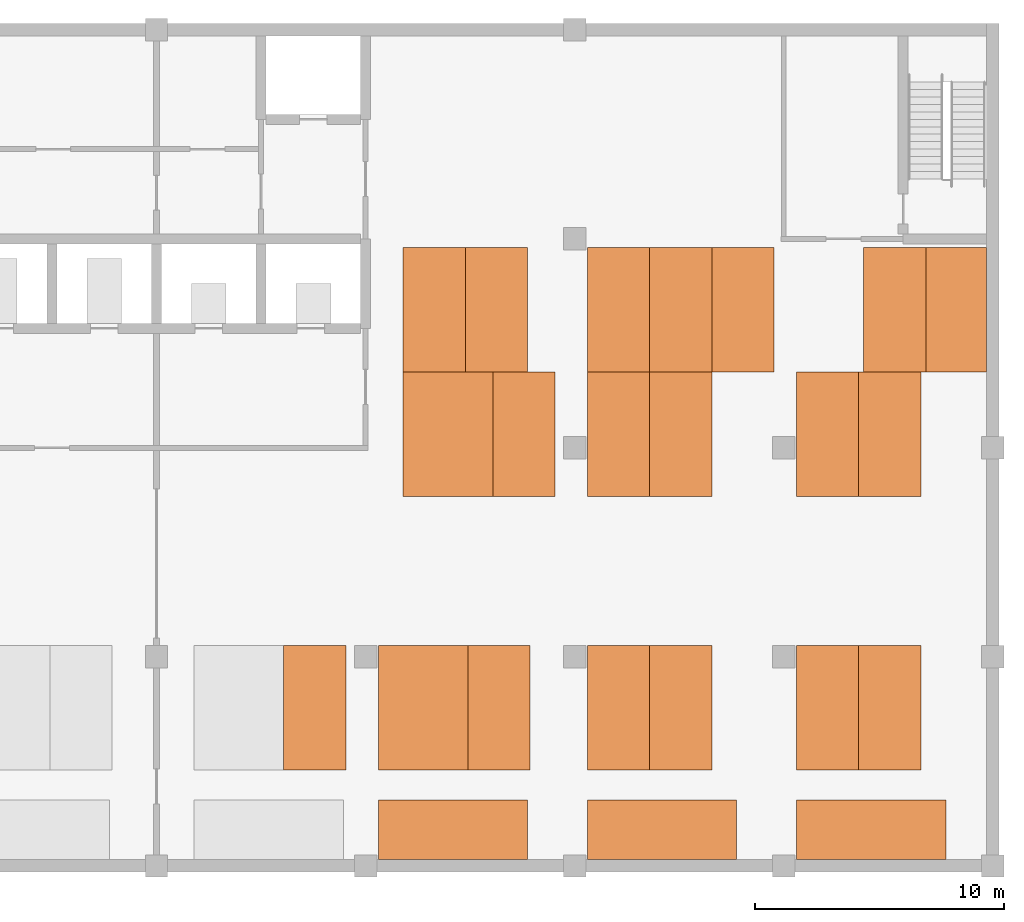
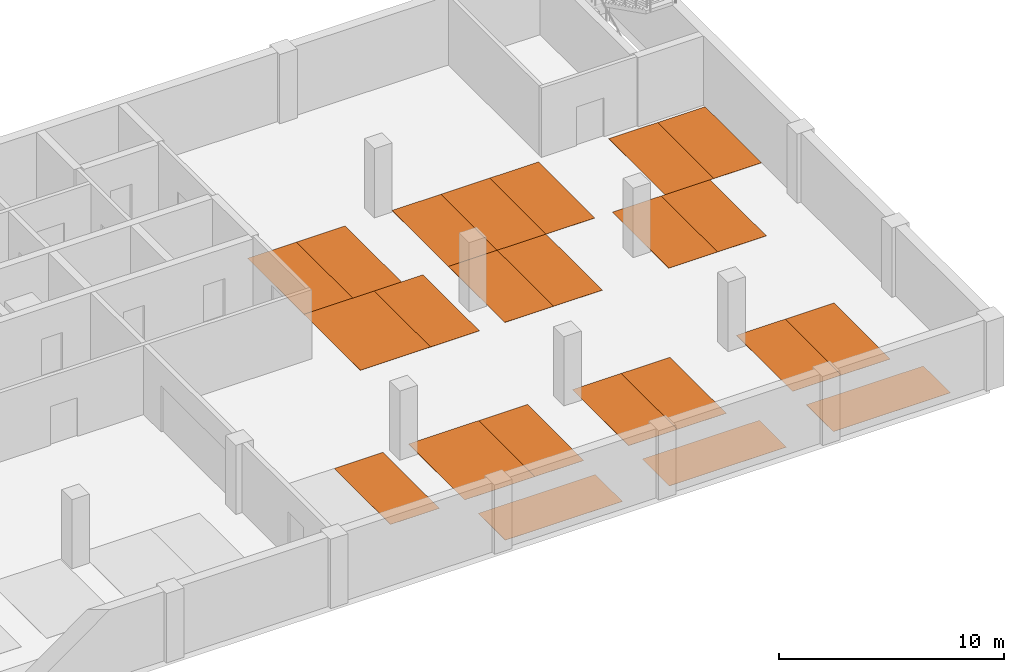
# One storey, part 14 of 14: 23 proxies.
"""IFC4 building model written with IfcOpenShell, lengths in metres."""

from ifc_helpers import new_model, si_unit, direction, frame, origin, place, context, subcontext, project, spatial, polyline, outline, extrude, material, type_object, element, save


model = new_model("IFC4")

# Units and contexts
model_context = context("Model", 3, precision=1e-05, world=origin(), true_north=direction((0.0, 1.0)))
body_context = subcontext(model_context, "Body", "Model", "MODEL_VIEW")
ifc_project = project(units=[si_unit("LENGTHUNIT", "METRE"), si_unit("AREAUNIT", "SQUARE_METRE"), si_unit("VOLUMEUNIT", "CUBIC_METRE"), si_unit("PLANEANGLEUNIT", "RADIAN"), si_unit("MASSUNIT", "GRAM", prefix="KILO")], contexts=[model_context])

# Site, building, storey
site_placement = place(None, origin())
site = spatial("IfcSite", under=ifc_project, at=site_placement, CompositionType="ELEMENT")
building_placement = place(site_placement, origin())
building = spatial("IfcBuilding", under=site, at=building_placement, Name="Yavir Park General Hospital", CompositionType="ELEMENT")
storey_placement = place(building_placement, frame((0.0, 0.0, -4.199951171875)))
storey = spatial("IfcBuildingStorey", under=building, at=storey_placement, Name="B1", CompositionType="ELEMENT", Elevation=-4.199951171875)

# Proxies
ifc_material_1 = material(Name="Floor marking paint, white")
building_element_proxy_type_1 = type_object("IfcBuildingElementProxyType", Name="Accessible parking bay marking", PredefinedType="ELEMENT", material=ifc_material_1)
proxy_1_placement = place(storey_placement, origin())
element("IfcBuildingElementProxy", 1, at=proxy_1_placement, inside=storey, type_object=building_element_proxy_type_1, Name="Accessible parking bay 7 marking, Car Park E", PredefinedType="ELEMENT", context=body_context, shape_type="SweptSolid", body=[
    extrude(outline(polyline([(143.31005859375, 3.85009765625), (146.909912109375, 3.85009765625), (146.909912109375, 8.85009765625), (143.31005859375, 8.85009765625), (143.31005859375, 3.85009765625)])), origin(), (0.0, 0.0, 1.0), 0.010009765625),
])
proxy_2_placement = place(storey_placement, origin())
element("IfcBuildingElementProxy", 2, at=proxy_2_placement, inside=storey, type_object=building_element_proxy_type_1, Name="Accessible parking bay 13 marking, Car Park E", PredefinedType="ELEMENT", context=body_context, shape_type="SweptSolid", body=[
    extrude(outline(polyline([(144.31005859375, 14.85009765625), (147.909912109375, 14.85009765625), (147.909912109375, 19.85009765625), (144.31005859375, 19.85009765625), (144.31005859375, 14.85009765625)])), origin(), (0.0, 0.0, 1.0), 0.010009765625),
])
ifc_material_2 = material(Name="Floor marking paint, white")
building_element_proxy_type_2 = type_object("IfcBuildingElementProxyType", Name="EV charging parking bay marking", PredefinedType="ELEMENT", material=ifc_material_2)
proxy_3_placement = place(storey_placement, origin())
element("IfcBuildingElementProxy", 3, at=proxy_3_placement, inside=storey, type_object=building_element_proxy_type_2, Name="EV charging parking bay 15 marking, Car Park E", PredefinedType="ELEMENT", context=body_context, shape_type="SweptSolid", body=[
    extrude(outline(polyline([(151.7099609375, 14.85009765625), (154.2099609375, 14.85009765625), (154.2099609375, 19.85009765625), (151.7099609375, 19.85009765625), (151.7099609375, 14.85009765625)])), origin(), (0.0, 0.0, 1.0), 0.010009765625),
])
proxy_4_placement = place(storey_placement, origin())
element("IfcBuildingElementProxy", 4, at=proxy_4_placement, inside=storey, type_object=building_element_proxy_type_2, Name="EV charging parking bay 23 marking, Car Park E", PredefinedType="ELEMENT", context=body_context, shape_type="SweptSolid", body=[
    extrude(outline(polyline([(156.7099609375, 19.85009765625), (159.2099609375, 19.85009765625), (159.2099609375, 24.85009765625), (156.7099609375, 24.85009765625), (156.7099609375, 19.85009765625)])), origin(), (0.0, 0.0, 1.0), 0.010009765625),
])
ifc_material_3 = material(Name="Floor marking paint, white")
building_element_proxy_type_3 = type_object("IfcBuildingElementProxyType", Name="Parallel parking bay marking", PredefinedType="ELEMENT", material=ifc_material_3)
proxy_5_placement = place(storey_placement, origin())
element("IfcBuildingElementProxy", 5, at=proxy_5_placement, inside=storey, type_object=building_element_proxy_type_3, Name="Parallel parking bay 2 marking, Car Park E", PredefinedType="ELEMENT", context=body_context, shape_type="SweptSolid", body=[
    extrude(outline(polyline([(143.31005859375, 2.64990234375), (143.31005859375, 0.25), (149.31005859375, 0.25), (149.31005859375, 2.64990234375), (143.31005859375, 2.64990234375)])), origin(), (0.0, 0.0, 1.0), 0.010009765625),
])
proxy_6_placement = place(storey_placement, origin())
element("IfcBuildingElementProxy", 6, at=proxy_6_placement, inside=storey, type_object=building_element_proxy_type_3, Name="Parallel parking bay 3 marking, Car Park E", PredefinedType="ELEMENT", context=body_context, shape_type="SweptSolid", body=[
    extrude(outline(polyline([(151.7099609375, 2.64990234375), (151.7099609375, 0.25), (157.7099609375, 0.25), (157.7099609375, 2.64990234375), (151.7099609375, 2.64990234375)])), origin(), (0.0, 0.0, 1.0), 0.010009765625),
])
proxy_7_placement = place(storey_placement, origin())
element("IfcBuildingElementProxy", 7, at=proxy_7_placement, inside=storey, type_object=building_element_proxy_type_3, Name="Parallel parking bay 4 marking, Car Park E", PredefinedType="ELEMENT", context=body_context, shape_type="SweptSolid", body=[
    extrude(outline(polyline([(160.110107421875, 2.64990234375), (160.110107421875, 0.25), (166.110107421875, 0.25), (166.110107421875, 2.64990234375), (160.110107421875, 2.64990234375)])), origin(), (0.0, 0.0, 1.0), 0.010009765625),
])
ifc_material_4 = material(Name="Floor marking paint, white")
building_element_proxy_type_4 = type_object("IfcBuildingElementProxyType", Name="Parking bay marking", PredefinedType="ELEMENT", material=ifc_material_4)
proxy_8_placement = place(storey_placement, origin())
element("IfcBuildingElementProxy", 8, at=proxy_8_placement, inside=storey, type_object=building_element_proxy_type_4, Name="Parking bay 6 marking, Car Park E", PredefinedType="ELEMENT", context=body_context, shape_type="SweptSolid", body=[
    extrude(outline(polyline([(139.510009765625, 3.85009765625), (142.010009765625, 3.85009765625), (142.010009765625, 8.85009765625), (139.510009765625, 8.85009765625), (139.510009765625, 3.85009765625)])), origin(), (0.0, 0.0, 1.0), 0.010009765625),
])
proxy_9_placement = place(storey_placement, origin())
element("IfcBuildingElementProxy", 9, at=proxy_9_placement, inside=storey, type_object=building_element_proxy_type_4, Name="Parking bay 8 marking, Car Park E", PredefinedType="ELEMENT", context=body_context, shape_type="SweptSolid", body=[
    extrude(outline(polyline([(146.909912109375, 3.85009765625), (149.409912109375, 3.85009765625), (149.409912109375, 8.85009765625), (146.909912109375, 8.85009765625), (146.909912109375, 3.85009765625)])), origin(), (0.0, 0.0, 1.0), 0.010009765625),
])
proxy_10_placement = place(storey_placement, origin())
element("IfcBuildingElementProxy", 10, at=proxy_10_placement, inside=storey, type_object=building_element_proxy_type_4, Name="Parking bay 9 marking, Car Park E", PredefinedType="ELEMENT", context=body_context, shape_type="SweptSolid", body=[
    extrude(outline(polyline([(151.7099609375, 3.85009765625), (154.2099609375, 3.85009765625), (154.2099609375, 8.85009765625), (151.7099609375, 8.85009765625), (151.7099609375, 3.85009765625)])), origin(), (0.0, 0.0, 1.0), 0.010009765625),
])
proxy_11_placement = place(storey_placement, origin())
element("IfcBuildingElementProxy", 11, at=proxy_11_placement, inside=storey, type_object=building_element_proxy_type_4, Name="Parking bay 10 marking, Car Park E", PredefinedType="ELEMENT", context=body_context, shape_type="SweptSolid", body=[
    extrude(outline(polyline([(154.2099609375, 3.85009765625), (156.7099609375, 3.85009765625), (156.7099609375, 8.85009765625), (154.2099609375, 8.85009765625), (154.2099609375, 3.85009765625)])), origin(), (0.0, 0.0, 1.0), 0.010009765625),
])
proxy_12_placement = place(storey_placement, origin())
element("IfcBuildingElementProxy", 12, at=proxy_12_placement, inside=storey, type_object=building_element_proxy_type_4, Name="Parking bay 11 marking, Car Park E", PredefinedType="ELEMENT", context=body_context, shape_type="SweptSolid", body=[
    extrude(outline(polyline([(160.110107421875, 3.85009765625), (162.610107421875, 3.85009765625), (162.610107421875, 8.85009765625), (160.110107421875, 8.85009765625), (160.110107421875, 3.85009765625)])), origin(), (0.0, 0.0, 1.0), 0.010009765625),
])
proxy_13_placement = place(storey_placement, origin())
element("IfcBuildingElementProxy", 13, at=proxy_13_placement, inside=storey, type_object=building_element_proxy_type_4, Name="Parking bay 12 marking, Car Park E", PredefinedType="ELEMENT", context=body_context, shape_type="SweptSolid", body=[
    extrude(outline(polyline([(162.610107421875, 3.85009765625), (165.110107421875, 3.85009765625), (165.110107421875, 8.85009765625), (162.610107421875, 8.85009765625), (162.610107421875, 3.85009765625)])), origin(), (0.0, 0.0, 1.0), 0.010009765625),
])
proxy_14_placement = place(storey_placement, origin())
element("IfcBuildingElementProxy", 14, at=proxy_14_placement, inside=storey, type_object=building_element_proxy_type_4, Name="Parking bay 14 marking, Car Park E", PredefinedType="ELEMENT", context=body_context, shape_type="SweptSolid", body=[
    extrude(outline(polyline([(147.909912109375, 14.85009765625), (150.409912109375, 14.85009765625), (150.409912109375, 19.85009765625), (147.909912109375, 19.85009765625), (147.909912109375, 14.85009765625)])), origin(), (0.0, 0.0, 1.0), 0.010009765625),
])
proxy_15_placement = place(storey_placement, origin())
element("IfcBuildingElementProxy", 15, at=proxy_15_placement, inside=storey, type_object=building_element_proxy_type_4, Name="Parking bay 16 marking, Car Park E", PredefinedType="ELEMENT", context=body_context, shape_type="SweptSolid", body=[
    extrude(outline(polyline([(154.2099609375, 14.85009765625), (156.7099609375, 14.85009765625), (156.7099609375, 19.85009765625), (154.2099609375, 19.85009765625), (154.2099609375, 14.85009765625)])), origin(), (0.0, 0.0, 1.0), 0.010009765625),
])
proxy_16_placement = place(storey_placement, origin())
element("IfcBuildingElementProxy", 16, at=proxy_16_placement, inside=storey, type_object=building_element_proxy_type_4, Name="Parking bay 17 marking, Car Park E", PredefinedType="ELEMENT", context=body_context, shape_type="SweptSolid", body=[
    extrude(outline(polyline([(160.110107421875, 14.85009765625), (162.610107421875, 14.85009765625), (162.610107421875, 19.85009765625), (160.110107421875, 19.85009765625), (160.110107421875, 14.85009765625)])), origin(), (0.0, 0.0, 1.0), 0.010009765625),
])
proxy_17_placement = place(storey_placement, origin())
element("IfcBuildingElementProxy", 17, at=proxy_17_placement, inside=storey, type_object=building_element_proxy_type_4, Name="Parking bay 18 marking, Car Park E", PredefinedType="ELEMENT", context=body_context, shape_type="SweptSolid", body=[
    extrude(outline(polyline([(162.610107421875, 14.85009765625), (165.110107421875, 14.85009765625), (165.110107421875, 19.85009765625), (162.610107421875, 19.85009765625), (162.610107421875, 14.85009765625)])), origin(), (0.0, 0.0, 1.0), 0.010009765625),
])
proxy_18_placement = place(storey_placement, origin())
element("IfcBuildingElementProxy", 18, at=proxy_18_placement, inside=storey, type_object=building_element_proxy_type_4, Name="Parking bay 19 marking, Car Park E", PredefinedType="ELEMENT", context=body_context, shape_type="SweptSolid", body=[
    extrude(outline(polyline([(144.31005859375, 19.85009765625), (146.81005859375, 19.85009765625), (146.81005859375, 24.85009765625), (144.31005859375, 24.85009765625), (144.31005859375, 19.85009765625)])), origin(), (0.0, 0.0, 1.0), 0.010009765625),
])
proxy_19_placement = place(storey_placement, origin())
element("IfcBuildingElementProxy", 19, at=proxy_19_placement, inside=storey, type_object=building_element_proxy_type_4, Name="Parking bay 20 marking, Car Park E", PredefinedType="ELEMENT", context=body_context, shape_type="SweptSolid", body=[
    extrude(outline(polyline([(146.81005859375, 19.85009765625), (149.31005859375, 19.85009765625), (149.31005859375, 24.85009765625), (146.81005859375, 24.85009765625), (146.81005859375, 19.85009765625)])), origin(), (0.0, 0.0, 1.0), 0.010009765625),
])
proxy_20_placement = place(storey_placement, origin())
element("IfcBuildingElementProxy", 20, at=proxy_20_placement, inside=storey, type_object=building_element_proxy_type_4, Name="Parking bay 21 marking, Car Park E", PredefinedType="ELEMENT", context=body_context, shape_type="SweptSolid", body=[
    extrude(outline(polyline([(151.7099609375, 19.85009765625), (154.2099609375, 19.85009765625), (154.2099609375, 24.85009765625), (151.7099609375, 24.85009765625), (151.7099609375, 19.85009765625)])), origin(), (0.0, 0.0, 1.0), 0.010009765625),
])
proxy_21_placement = place(storey_placement, origin())
element("IfcBuildingElementProxy", 21, at=proxy_21_placement, inside=storey, type_object=building_element_proxy_type_4, Name="Parking bay 22 marking, Car Park E", PredefinedType="ELEMENT", context=body_context, shape_type="SweptSolid", body=[
    extrude(outline(polyline([(154.2099609375, 19.85009765625), (156.7099609375, 19.85009765625), (156.7099609375, 24.85009765625), (154.2099609375, 24.85009765625), (154.2099609375, 19.85009765625)])), origin(), (0.0, 0.0, 1.0), 0.010009765625),
])
proxy_22_placement = place(storey_placement, origin())
element("IfcBuildingElementProxy", 22, at=proxy_22_placement, inside=storey, type_object=building_element_proxy_type_4, Name="Parking bay 24 marking, Car Park E", PredefinedType="ELEMENT", context=body_context, shape_type="SweptSolid", body=[
    extrude(outline(polyline([(162.81005859375, 19.85009765625), (165.31005859375, 19.85009765625), (165.31005859375, 24.85009765625), (162.81005859375, 24.85009765625), (162.81005859375, 19.85009765625)])), origin(), (0.0, 0.0, 1.0), 0.010009765625),
])
proxy_23_placement = place(storey_placement, origin())
element("IfcBuildingElementProxy", 23, at=proxy_23_placement, inside=storey, type_object=building_element_proxy_type_4, Name="Parking bay 25 marking, Car Park E", PredefinedType="ELEMENT", context=body_context, shape_type="SweptSolid", body=[
    extrude(outline(polyline([(165.31005859375, 19.85009765625), (167.75, 19.85009765625), (167.75, 24.85009765625), (165.31005859375, 24.85009765625), (165.31005859375, 19.85009765625)])), origin(), (0.0, 0.0, 1.0), 0.010009765625),
])

save(model, "model.ifc")
